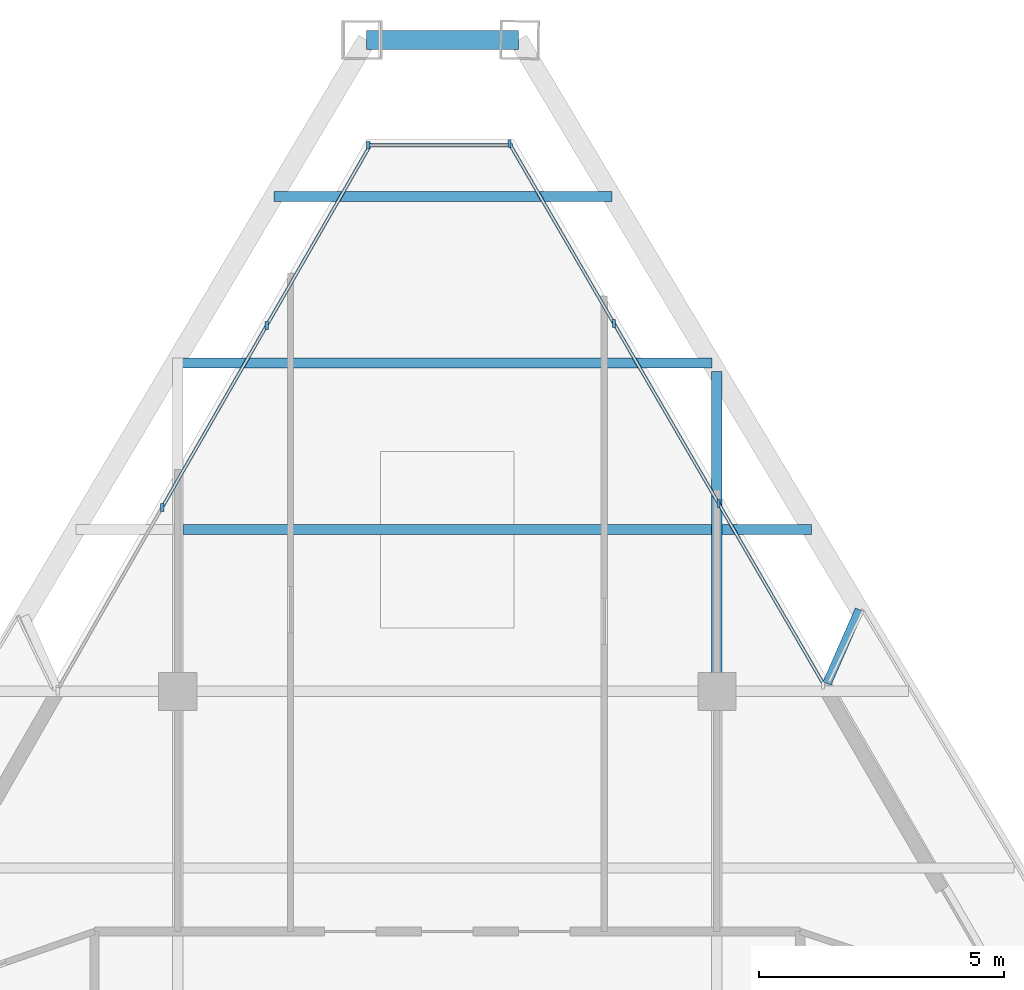
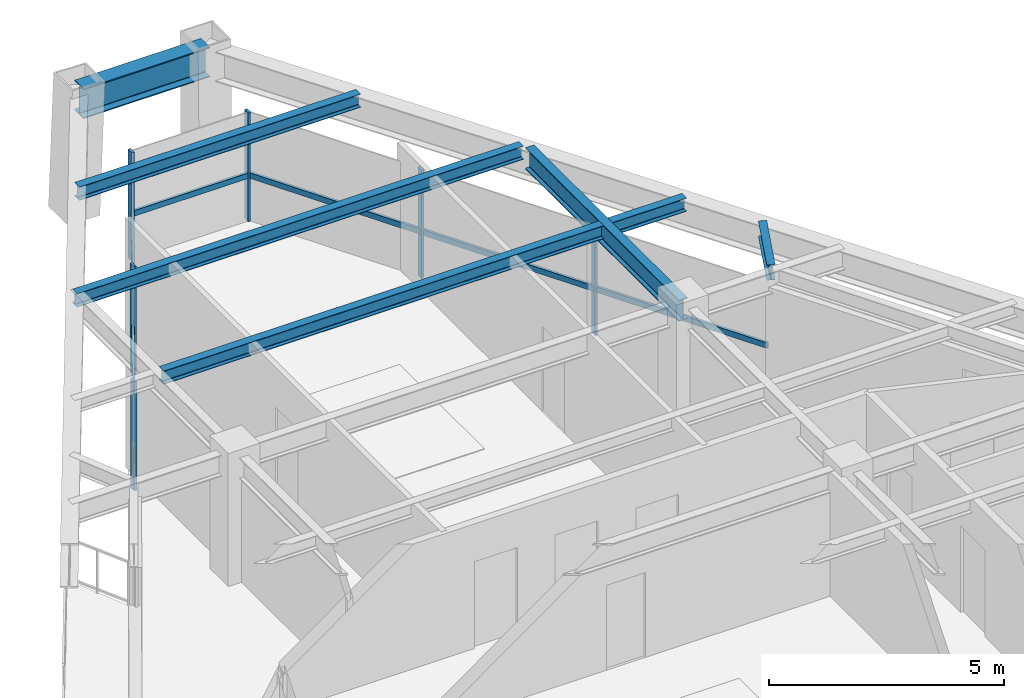
# One storey, part 7 of 13: 12 members, 7 beams, 3 elements without a shape of their own.
"""IFC4 building model written with IfcOpenShell, lengths in metres."""

from ifc_helpers import new_model, si_unit, direction, frame, origin, origin_2d, place, context, subcontext, project, spatial, rectangle, i_section, extrude, source, transform, mapped, material, material_profile, profile_set, type_object, type_shapes, element, aggregate, save


model = new_model("IFC4")

# Units and contexts
model_context = context("Model", 3, precision=1e-05, world=origin(), true_north=direction((0.0, 1.0)))
body_context = subcontext(model_context, "Body", "Model", "MODEL_VIEW")
ifc_project = project(units=[si_unit("LENGTHUNIT", "METRE"), si_unit("AREAUNIT", "SQUARE_METRE"), si_unit("VOLUMEUNIT", "CUBIC_METRE"), si_unit("PLANEANGLEUNIT", "RADIAN"), si_unit("MASSUNIT", "GRAM", prefix="KILO")], contexts=[model_context])

# Site, building, storey
site_placement = place(None, origin())
site = spatial("IfcSite", under=ifc_project, at=site_placement, CompositionType="ELEMENT")
building_placement = place(site_placement, origin())
building = spatial("IfcBuilding", under=site, at=building_placement, Name="Varnakhor Terracotta Tower", CompositionType="ELEMENT")
storey_placement = place(building_placement, frame((0.0, 0.0, 290.25)))
storey = spatial("IfcBuildingStorey", under=building, at=storey_placement, Name="L76", CompositionType="ELEMENT", Elevation=290.25)

# Beams
ifc_material_1 = material(Name="Steel S355", Category="steel")
ifc_material_profile_1 = material_profile(ifc_material_1, i_section(OverallWidth=0.202880859375, OverallDepth=0.346923828125, WebThickness=0.0078125, FlangeThickness=0.013427734375, FilletRadius=0.01806640625, at=origin_2d()), Name="W14X43")
ifc_profile_set_1 = profile_set([ifc_material_profile_1], Name="Steel S355")
beam_type_1 = type_object("IfcBeamType", Name="JST-W14X43", PredefinedType="JOIST", material=ifc_profile_set_1)
shared_shape_1 = source(origin(), body_context, "Body", "SweptSolid", [
    extrude(i_section(OverallWidth=0.202880859375, OverallDepth=0.346923828125, WebThickness=0.0078125, FlangeThickness=0.013427734375, FilletRadius=0.01806640625, at=origin_2d()), origin(), (0.0, 0.0, 1.0), 10.7939453125),
])
beam_1_placement = place(storey_placement, frame((-5.39697265625, 34.800048828125, 3.06640625), z_axis=(1.0, 0.0, 0.0), x_axis=(0.0, 1.0, 0.0)))
element("IfcBeam", 1, at=beam_1_placement, inside=storey, type_object=beam_type_1, Name="L76 Composite Floor Joist 7-2", PredefinedType="JOIST", context=body_context, shape_type="MappedRepresentation", body=[
    mapped(shared_shape_1, transform((0.0, 0.0, 0.0), scale=1.0)),
])
ifc_material_profile_2 = material_profile(ifc_material_1, i_section(OverallWidth=0.381103515625, OverallDepth=0.77294921875, WebThickness=0.01708984375, FlangeThickness=0.027099609375, FilletRadius=0.01806640625, at=origin_2d()), Name="W30X173")
ifc_profile_set_2 = profile_set([ifc_material_profile_2], Name="Steel S355")
beam_type_2 = type_object("IfcBeamType", Name="BM-W30X173", PredefinedType="BEAM", material=ifc_profile_set_2)
shared_shape_2 = source(origin(), body_context, "Body", "SweptSolid", [
    extrude(i_section(OverallWidth=0.381103515625, OverallDepth=0.77294921875, WebThickness=0.01708984375, FlangeThickness=0.027099609375, FilletRadius=0.01806640625, at=origin_2d()), origin(), (0.0, 0.0, 1.0), 3.0966796875),
])
beam_2_placement = place(storey_placement, frame((1.451171875, 44.79296875, 2.853515625), z_axis=(-1.0, 0.0, 0.0), x_axis=(0.0, -1.0, 0.0)))
element("IfcBeam", 2, at=beam_2_placement, inside=storey, type_object=beam_type_2, Name="L76 Perimeter Spandrel 5", PredefinedType="BEAM", context=body_context, shape_type="MappedRepresentation", body=[
    mapped(shared_shape_2, transform((0.0, 0.0, 0.0), scale=1.0)),
])
ifc_material_profile_3 = material_profile(ifc_material_1, i_section(OverallWidth=0.214111328125, OverallDepth=0.549072265625, WebThickness=0.014892578125, FlangeThickness=0.02392578125, FilletRadius=0.01806640625, at=origin_2d()), Name="W21X93")
ifc_profile_set_3 = profile_set([ifc_material_profile_3], Name="Steel S355")
beam_type_3 = type_object("IfcBeamType", Name="BM-W21X93", PredefinedType="BEAM", material=ifc_profile_set_3)
shared_shape_3 = source(origin(), body_context, "Body", "SweptSolid", [
    extrude(i_section(OverallWidth=0.214111328125, OverallDepth=0.549072265625, WebThickness=0.014892578125, FlangeThickness=0.02392578125, FilletRadius=0.01806640625, at=origin_2d()), origin(), (0.0, 0.0, 1.0), 6.526611328125),
])
beam_3_placement = place(storey_placement, frame((5.5, 31.5, 2.965576171875), z_axis=(0.0, 1.0, 0.0), x_axis=(-1.0, 0.0, 0.0)))
element("IfcBeam", 3, at=beam_3_placement, inside=storey, type_object=beam_type_3, Name="L76 Primary Girder NS3-E", PredefinedType="BEAM", context=body_context, shape_type="MappedRepresentation", body=[
    mapped(shared_shape_3, transform((0.0, 0.0, 0.0), scale=1.0)),
])
shared_shape_4 = source(origin(), body_context, "Body", "SweptSolid", [
    extrude(i_section(OverallWidth=0.202880859375, OverallDepth=0.346923828125, WebThickness=0.0078125, FlangeThickness=0.013427734375, FilletRadius=0.01806640625, at=origin_2d()), origin(), (0.0, 0.0, 1.0), 1.82763671875),
])
beam_4_placement = place(storey_placement, frame((5.60302734375, 34.800048828125, 3.06640625), z_axis=(1.0, 0.0, 0.0), x_axis=(0.0, 1.0, 0.0)))
element("IfcBeam", 4, at=beam_4_placement, inside=storey, type_object=beam_type_1, Name="L76 Composite Floor Joist 7-3", PredefinedType="JOIST", context=body_context, shape_type="MappedRepresentation", body=[
    mapped(shared_shape_4, transform((0.0, 0.0, 0.0), scale=1.0)),
])
shared_shape_5 = source(origin(), body_context, "Body", "SweptSolid", [
    extrude(i_section(OverallWidth=0.202880859375, OverallDepth=0.346923828125, WebThickness=0.0078125, FlangeThickness=0.013427734375, FilletRadius=0.01806640625, at=origin_2d()), origin(), (0.0, 0.0, 1.0), 10.9580078125),
])
beam_5_placement = place(storey_placement, frame((-5.561767578125, 38.199951171875, 3.06640625), z_axis=(1.0, 0.0, 0.0), x_axis=(0.0, 1.0, 0.0)))
element("IfcBeam", 5, at=beam_5_placement, inside=storey, type_object=beam_type_1, Name="L76 Composite Floor Joist 8-1", PredefinedType="JOIST", context=body_context, shape_type="MappedRepresentation", body=[
    mapped(shared_shape_5, transform((0.0, 0.0, 0.0), scale=1.0)),
])
shared_shape_6 = source(origin(), body_context, "Body", "SweptSolid", [
    extrude(i_section(OverallWidth=0.202880859375, OverallDepth=0.346923828125, WebThickness=0.0078125, FlangeThickness=0.013427734375, FilletRadius=0.01806640625, at=origin_2d()), origin(), (0.0, 0.0, 1.0), 6.90380859375),
])
beam_6_placement = place(storey_placement, frame((-3.5419921875, 41.60009765625, 3.06640625), z_axis=(1.0, 0.0, 0.0), x_axis=(0.0, 1.0, 0.0)))
element("IfcBeam", 6, at=beam_6_placement, inside=storey, type_object=beam_type_1, Name="L76 Composite Floor Joist 9-1", PredefinedType="JOIST", context=body_context, shape_type="MappedRepresentation", body=[
    mapped(shared_shape_6, transform((0.0, 0.0, 0.0), scale=1.0)),
])

# Curtain wall, members
ifc_material_2 = material(Name="Anodised Aluminium Curtain Wall System", Category="aluminium")
curtain_wall_type = type_object("IfcCurtainWallType", Name="CW-SYS-HOTEL-LOGGIA", PredefinedType="NOTDEFINED", material=ifc_material_2)
curtain_wall_1_placement = place(storey_placement, origin())
curtain_wall_1 = element("IfcCurtainWall", 7, at=curtain_wall_1_placement, inside=storey, type_object=curtain_wall_type, Name="L76 W Facet Curtain Wall 2", PredefinedType="NOTDEFINED")
ifc_material_3 = material(Name="Anodised Aluminium 6063-T6", Category="aluminium")
ifc_material_profile_4 = material_profile(ifc_material_3, rectangle(XDim=0.06494140625, YDim=0.159912109375, at=origin_2d()), Name="ALU MULLION 65x160")
ifc_profile_set_4 = profile_set([ifc_material_profile_4], Name="Anodised Aluminium 6063-T6")
member_type_1 = type_object("IfcMemberType", Name="CWM-04", PredefinedType="MULLION", material=ifc_profile_set_4)
shared_shape_7 = source(origin(), body_context, "Body", "SweptSolid", [
    extrude(rectangle(XDim=0.06494140625, YDim=0.159912109375, at=origin_2d()), origin(), (0.0, 0.0, 1.0), 2.820068359375),
])
type_shapes(member_type_1, [shared_shape_7])
member_1_placement = place(storey_placement, frame((-5.81982421875, 35.252685546875, 0.0), z_axis=(0.0, 0.0, 1.0), x_axis=(1.0, 0.0, 0.0)))
member_1 = element("IfcMember", 8, at=member_1_placement, type_object=member_type_1, Name="L76 W Facet Curtain Wall 2 Mullion 2", PredefinedType="MULLION", context=body_context, shape_type="MappedRepresentation", body=[
    mapped(shared_shape_7, transform((0.0, 0.0, 0.0), scale=1.0)),
])
member_2_placement = place(storey_placement, frame((-3.687255859375, 38.96630859375, 0.0), z_axis=(0.0, 0.0, 1.0), x_axis=(1.0, 0.0, 0.0)))
member_2 = element("IfcMember", 9, at=member_2_placement, type_object=member_type_1, Name="L76 W Facet Curtain Wall 2 Mullion 3", PredefinedType="MULLION", context=body_context, shape_type="MappedRepresentation", body=[
    mapped(shared_shape_7, transform((0.0, 0.0, 0.0), scale=1.0)),
])

# Curtain wall, member
curtain_wall_2_placement = place(storey_placement, origin())
curtain_wall_2 = element("IfcCurtainWall", 10, at=curtain_wall_2_placement, inside=storey, type_object=curtain_wall_type, Name="L76 Facet Curtain Wall 2", PredefinedType="NOTDEFINED")
member_3_placement = place(storey_placement, frame((-1.613525390625, 42.6455078125, 0.0), z_axis=(0.0, 0.0, 1.0), x_axis=(1.0, 0.0, 0.0)))
member_3 = element("IfcMember", 11, at=member_3_placement, type_object=member_type_1, Name="L76 Facet Curtain Wall 2 Mullion 1", PredefinedType="MULLION", context=body_context, shape_type="MappedRepresentation", body=[
    mapped(shared_shape_7, transform((0.0, 0.0, 0.0), scale=1.0)),
])

# Curtain wall, members
curtain_wall_3_placement = place(storey_placement, origin())
curtain_wall_3 = element("IfcCurtainWall", 12, at=curtain_wall_3_placement, inside=storey, type_object=curtain_wall_type, Name="L76 E Facet Curtain Wall 1", PredefinedType="NOTDEFINED")
member_4_placement = place(storey_placement, frame((1.265625, 42.67919921875, 0.0), z_axis=(0.0, 0.0, 1.0), x_axis=(1.0, 0.0, 0.0)))
member_4 = element("IfcMember", 13, at=member_4_placement, type_object=member_type_1, Name="L76 E Facet Curtain Wall 1 Mullion 1", PredefinedType="MULLION", context=body_context, shape_type="MappedRepresentation", body=[
    mapped(shared_shape_7, transform((0.0, 0.0, 0.0), scale=1.0)),
])
member_5_placement = place(storey_placement, frame((3.400146484375, 39.006103515625, 0.0), z_axis=(0.0, 0.0, 1.0), x_axis=(1.0, 0.0, 0.0)))
member_5 = element("IfcMember", 14, at=member_5_placement, type_object=member_type_1, Name="L76 E Facet Curtain Wall 1 Mullion 2", PredefinedType="MULLION", context=body_context, shape_type="MappedRepresentation", body=[
    mapped(shared_shape_7, transform((0.0, 0.0, 0.0), scale=1.0)),
])
member_6_placement = place(storey_placement, frame((5.534423828125, 35.333251953125, 0.0), z_axis=(0.0, 0.0, 1.0), x_axis=(1.0, 0.0, 0.0)))
member_6 = element("IfcMember", 15, at=member_6_placement, type_object=member_type_1, Name="L76 E Facet Curtain Wall 1 Mullion 3", PredefinedType="MULLION", context=body_context, shape_type="MappedRepresentation", body=[
    mapped(shared_shape_7, transform((0.0, 0.0, 0.0), scale=1.0)),
])

# Member
ifc_material_profile_5 = material_profile(ifc_material_3, rectangle(XDim=0.06494140625, YDim=0.14501953125, at=origin_2d()), Name="ALU TRANSOM 65x145")
ifc_profile_set_5 = profile_set([ifc_material_profile_5], Name="Anodised Aluminium 6063-T6")
member_type_2 = type_object("IfcMemberType", Name="CWT-04", PredefinedType="USERDEFINED", material=ifc_profile_set_5)
shared_shape_8 = source(origin(), body_context, "Body", "SweptSolid", [
    extrude(rectangle(XDim=0.06494140625, YDim=0.14501953125, at=origin_2d()), origin(), (0.0, 0.0, 1.0), 4.282470703125),
])
member_7_placement = place(storey_placement, frame((-5.81982421875, 35.252685546875, 1.184326171875), z_axis=(0.49798582851, 0.867185167426, 0.0), x_axis=(-0.867185167426, 0.49798582851, 0.0)))
member_7 = element("IfcMember", 16, at=member_7_placement, type_object=member_type_2, Name="L76 W Facet Curtain Wall 2 Transom 2", ObjectType="TRANSOM", PredefinedType="USERDEFINED", context=body_context, shape_type="MappedRepresentation", body=[
    mapped(shared_shape_8, transform((0.0, 0.0, 0.0), scale=1.0)),
])

shared_shape_9 = source(origin(), body_context, "Body", "SweptSolid", [
    extrude(rectangle(XDim=0.06494140625, YDim=0.14501953125, at=origin_2d()), origin(), (0.0, 0.0, 1.0), 4.2822265625),
])
member_8_placement = place(storey_placement, frame((-3.687255859375, 38.96630859375, 1.184326171875), z_axis=(0.498053320526, 0.867146406273, 0.0), x_axis=(-0.867146406273, 0.498053320526, 0.0)))
member_8 = element("IfcMember", 17, at=member_8_placement, type_object=member_type_2, Name="L76 W Facet Curtain Wall 2 Transom 3", ObjectType="TRANSOM", PredefinedType="USERDEFINED", context=body_context, shape_type="MappedRepresentation", body=[
    mapped(shared_shape_9, transform((0.0, 0.0, 0.0), scale=1.0)),
])

aggregate(curtain_wall_1, [member_1, member_7, member_2, member_8])

shared_shape_10 = source(origin(), body_context, "Body", "SweptSolid", [
    extrude(rectangle(XDim=0.06494140625, YDim=0.14501953125, at=origin_2d()), origin(), (0.0, 0.0, 1.0), 2.93798828125),
])
member_9_placement = place(storey_placement, frame((-1.613525390625, 42.6455078125, 1.184326171875), z_axis=(1.0, 0.0, 0.0), x_axis=(0.0, 1.0, 0.0)))
member_9 = element("IfcMember", 18, at=member_9_placement, type_object=member_type_2, Name="L76 Facet Curtain Wall 2 Transom 1", ObjectType="TRANSOM", PredefinedType="USERDEFINED", context=body_context, shape_type="MappedRepresentation", body=[
    mapped(shared_shape_10, transform((0.0, 0.0, 0.0), scale=1.0)),
])

aggregate(curtain_wall_2, [member_3, member_9])

shared_shape_11 = source(origin(), body_context, "Body", "SweptSolid", [
    extrude(rectangle(XDim=0.06494140625, YDim=0.14501953125, at=origin_2d()), origin(), (0.0, 0.0, 1.0), 4.248291015625),
])
member_10_placement = place(storey_placement, frame((1.265625, 42.67919921875, 1.184326171875), z_axis=(0.502444650907, -0.864609375831, 0.0), x_axis=(0.864609375831, 0.502444650907, 0.0)))
member_10 = element("IfcMember", 19, at=member_10_placement, type_object=member_type_2, Name="L76 E Facet Curtain Wall 1 Transom 1", ObjectType="TRANSOM", PredefinedType="USERDEFINED", context=body_context, shape_type="MappedRepresentation", body=[
    mapped(shared_shape_11, transform((0.0, 0.0, 0.0), scale=1.0)),
])

shared_shape_12 = source(origin(), body_context, "Body", "SweptSolid", [
    extrude(rectangle(XDim=0.06494140625, YDim=0.14501953125, at=origin_2d()), origin(), (0.0, 0.0, 1.0), 4.248046875),
])
member_11_placement = place(storey_placement, frame((3.400146484375, 39.006103515625, 1.184326171875), z_axis=(0.502426654302, -0.864619833827, 0.0), x_axis=(0.864619833827, 0.502426654302, 0.0)))
member_11 = element("IfcMember", 20, at=member_11_placement, type_object=member_type_2, Name="L76 E Facet Curtain Wall 1 Transom 2", ObjectType="TRANSOM", PredefinedType="USERDEFINED", context=body_context, shape_type="MappedRepresentation", body=[
    mapped(shared_shape_12, transform((0.0, 0.0, 0.0), scale=1.0)),
])

member_12_placement = place(storey_placement, frame((5.534423828125, 35.333251953125, 1.184326171875), z_axis=(0.502426654302, -0.864619833827, 0.0), x_axis=(0.864619833827, 0.502426654302, 0.0)))
member_12 = element("IfcMember", 21, at=member_12_placement, type_object=member_type_2, Name="L76 E Facet Curtain Wall 1 Transom 3", ObjectType="TRANSOM", PredefinedType="USERDEFINED", context=body_context, shape_type="MappedRepresentation", body=[
    mapped(shared_shape_12, transform((0.0, 0.0, 0.0), scale=1.0)),
])

aggregate(curtain_wall_3, [member_4, member_10, member_5, member_11, member_6, member_12])

# Beam
ifc_material_profile_6 = material_profile(ifc_material_1, i_section(OverallWidth=0.179931640625, OverallDepth=0.39990234375, WebThickness=0.008544921875, FlangeThickness=0.013427734375, FilletRadius=0.01806640625, at=origin_2d()), Name="IPE400")
ifc_profile_set_6 = profile_set([ifc_material_profile_6], Name="Steel S355")
beam_type_4 = type_object("IfcBeamType", Name="JST-IPE400", PredefinedType="JOIST", material=ifc_profile_set_6)
shared_shape_13 = source(origin(), body_context, "Body", "SweptSolid", [
    extrude(i_section(OverallWidth=0.179931640625, OverallDepth=0.39990234375, WebThickness=0.008544921875, FlangeThickness=0.013427734375, FilletRadius=0.01806640625, at=origin_2d()), origin(), (0.0, 0.0, 1.0), 1.64306640625),
])
beam_7_placement = place(storey_placement, frame((7.7470703125, 31.6630859375, 3.0400390625), z_axis=(0.40177736157, 0.91573738142, 0.0), x_axis=(-0.91573738142, 0.40177736157, 0.0)))
element("IfcBeam", 22, at=beam_7_placement, inside=storey, type_object=beam_type_4, Name="L77 E Loggia Tie Beam 1", PredefinedType="JOIST", context=body_context, shape_type="MappedRepresentation", body=[
    mapped(shared_shape_13, transform((0.0, 0.0, 0.0), scale=1.0)),
])

save(model, "model.ifc")
